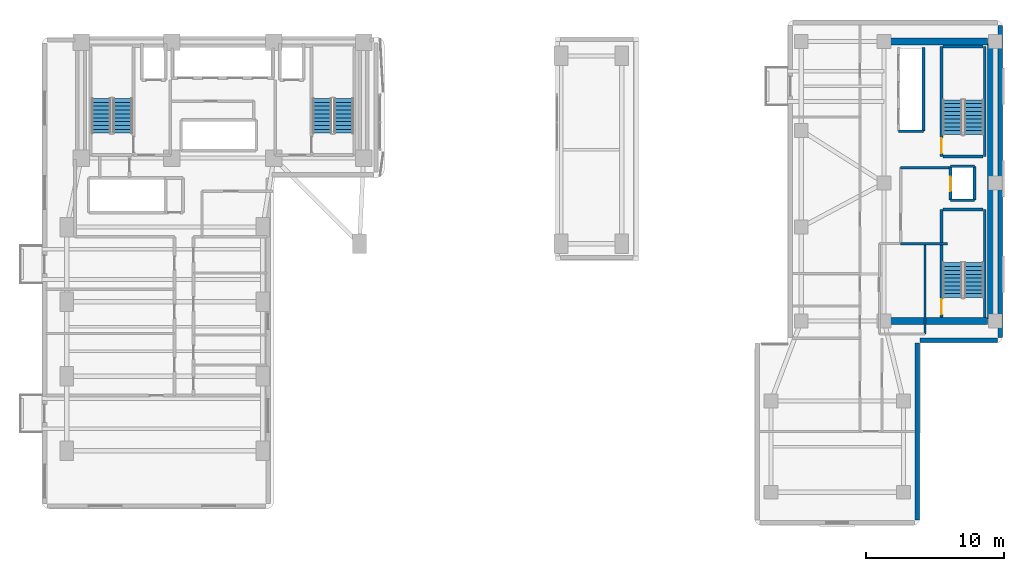
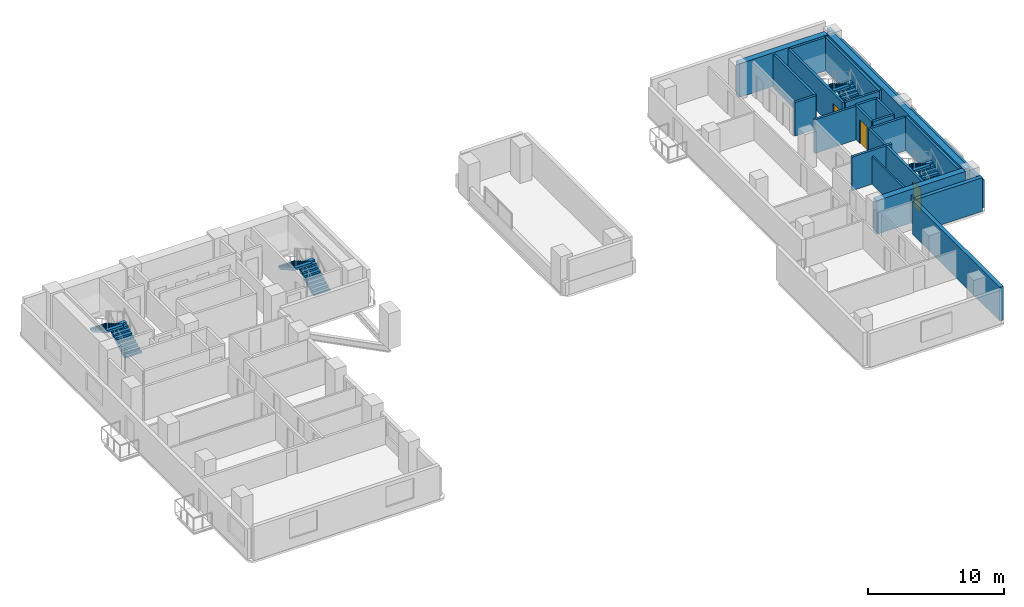
# One storey, part 9 of 12: 22 walls, 8 stair flights, 3 doors, 3 openings, 4 elements without a shape of their own.
"""IFC4 building model written with IfcOpenShell, lengths in metres."""

from ifc_helpers import new_model, si_unit, direction, frame, frame_2d, origin, place, context, subcontext, project, spatial, polyline, rectangle, outline, extrude, material, layer, layer_set, type_object, element, fill, aggregate, save


model = new_model("IFC4")

# Units and contexts
model_context = context("Model", 3, precision=1e-05, world=origin(), true_north=direction((0.0, 1.0)))
body_context = subcontext(model_context, "Body", "Model", "MODEL_VIEW")
ifc_project = project(units=[si_unit("LENGTHUNIT", "METRE"), si_unit("AREAUNIT", "SQUARE_METRE"), si_unit("VOLUMEUNIT", "CUBIC_METRE"), si_unit("PLANEANGLEUNIT", "RADIAN"), si_unit("MASSUNIT", "GRAM", prefix="KILO")], contexts=[model_context])

# Site, building, storey
site_placement = place(None, origin())
site = spatial("IfcSite", under=ifc_project, at=site_placement, CompositionType="ELEMENT")
building_placement = place(site_placement, origin())
building = spatial("IfcBuilding", under=site, at=building_placement, Name="Kuzgunbayir Cultural Tower", CompositionType="ELEMENT")
storey_placement = place(building_placement, frame((0.0, 0.0, 30.199951171875)))
storey = spatial("IfcBuildingStorey", under=building, at=storey_placement, Name="L07", CompositionType="ELEMENT", Elevation=30.199951171875)

# Walls
ifc_material_1 = material(Name="Travertine Buff Ashlar", Category="masonry")
ifc_layer_1 = layer(ifc_material_1, 0.320068359375)
ifc_layer_set_1 = layer_set([ifc_layer_1], Name="Travertine Buff Ashlar")
wall_type_1 = type_object("IfcWallType", Name="WAL-EXT-STONE-320", PredefinedType="STANDARD", material=ifc_layer_set_1)
wall_1_placement = place(storey_placement, frame((73.0, 20.800048828125, 0.0), z_axis=(0.0, 0.0, 1.0), x_axis=(0.0, 1.0, 0.0)))
element("IfcWall", 1, at=wall_1_placement, inside=storey, type_object=wall_type_1, Name="L07 Companion East Limestone Wall", PredefinedType="STANDARD", context=body_context, shape_type="SweptSolid", body=[
    extrude(rectangle(XDim=22.599853515625, YDim=0.320068359375, at=frame_2d((11.2998046875, 0.0))), origin(), (0.0, 0.0, 1.0), 2.5),
])
wall_2_placement = place(storey_placement, frame((67.0, 7.60009765625, 0.0), z_axis=(0.0, 0.0, 1.0), x_axis=(0.0, 1.0, 0.0)))
element("IfcWall", 2, at=wall_2_placement, inside=storey, type_object=wall_type_1, Name="L07 Companion Wing B East Wall", PredefinedType="STANDARD", context=body_context, shape_type="SweptSolid", body=[
    extrude(rectangle(XDim=12.7998046875, YDim=0.320068359375, at=frame_2d((6.39990234375, 0.0))), origin(), (0.0, 0.0, 1.0), 3.02001953125),
])
wall_3_placement = place(storey_placement, frame((67.199951171875, 20.60009765625, 0.0), z_axis=(0.0, 0.0, 1.0), x_axis=(1.0, 0.0, 0.0)))
element("IfcWall", 3, at=wall_3_placement, inside=storey, type_object=wall_type_1, Name="L07 Companion South-East Link", PredefinedType="STANDARD", context=body_context, shape_type="SweptSolid", body=[
    extrude(rectangle(XDim=5.60009765625, YDim=0.320068359375, at=frame_2d((2.800048828125, 0.0))), origin(), (0.0, 0.0, 1.0), 3.02001953125),
])
ifc_material_2 = material(Name="Acoustic Double-Stud Drywall", Category="gypsum")
ifc_layer_2 = layer(ifc_material_2, 0.14990234375)
ifc_layer_set_2 = layer_set([ifc_layer_2], Name="Acoustic Double-Stud Drywall")
wall_type_2 = type_object("IfcWallType", Name="WAL-PART-ACOUSTIC-150", PredefinedType="PARTITIONING", material=ifc_layer_set_2)
wall_4_placement = place(storey_placement, frame((67.550048828125, 21.050048828125, 0.0), z_axis=(0.0, 0.0, 1.0), x_axis=(0.0, 1.0, 0.0)))
element("IfcWall", 4, at=wall_4_placement, inside=storey, type_object=wall_type_2, Name="L07 Companion Archive East Wall", PredefinedType="PARTITIONING", context=body_context, shape_type="SweptSolid", body=[
    extrude(rectangle(XDim=6.469970703125, YDim=0.14990234375, at=frame_2d((3.23486328125, 0.0))), origin(), (0.0, 0.0, 1.0), 2.5),
])
ifc_material_3 = material(Name="Aerated Concrete Blockwork", Category="masonry")
ifc_layer_3 = layer(ifc_material_3, 0.199951171875)
ifc_layer_set_3 = layer_set([ifc_layer_3], Name="Aerated Concrete Blockwork")
wall_type_3 = type_object("IfcWallType", Name="WAL-PART-FIRE-200", PredefinedType="PARTITIONING", material=ifc_layer_set_3)
wall_5_placement = place(storey_placement, frame((65.800048828125, 33.10009765625, 0.0), z_axis=(0.0, 0.0, 1.0), x_axis=(1.0, 0.0, 0.0)))
element("IfcWall", 5, at=wall_5_placement, inside=storey, type_object=wall_type_3, Name="L07 FFL-3 Lobby North Fire Wall", PredefinedType="PARTITIONING", context=body_context, shape_type="SweptSolid", body=[
    extrude(rectangle(XDim=3.599853515625, YDim=0.199951171875, at=frame_2d((1.7998046875, 0.0))), origin(), (0.0, 0.0, 1.0), 3.02001953125),
])
wall_6_placement = place(storey_placement, frame((65.800048828125, 27.60009765625, 0.0), z_axis=(0.0, 0.0, 1.0), x_axis=(1.0, 0.0, 0.0)))
element("IfcWall", 6, at=wall_6_placement, inside=storey, type_object=wall_type_3, Name="L07 FFL-3 Lobby South Fire Wall", PredefinedType="PARTITIONING", context=body_context, shape_type="SweptSolid", body=[
    extrude(rectangle(XDim=3.39990234375, YDim=0.199951171875, at=frame_2d((1.699951171875, 0.0))), origin(), (0.0, 0.0, 1.0), 3.02001953125),
])
ifc_material_4 = material(Name="Concrete C40/50", Category="concrete")
ifc_layer_4 = layer(ifc_material_4, 0.199951171875)
ifc_layer_set_4 = layer_set([ifc_layer_4], Name="Concrete C40/50")
wall_type_4 = type_object("IfcWallType", Name="WAL-SHAFT-200", PredefinedType="MOVABLE", material=ifc_layer_set_4)
wall_7_placement = place(storey_placement, frame((67.449951171875, 35.75, 0.0), z_axis=(0.0, 0.0, 1.0), x_axis=(0.0, 1.0, 0.0)))
element("IfcWall", 7, at=wall_7_placement, inside=storey, type_object=wall_type_4, Name="L07 Companion Lift Shaft Back Wall", PredefinedType="MOVABLE", context=body_context, shape_type="SweptSolid", body=[
    extrude(rectangle(XDim=6.050048828125, YDim=0.199951171875, at=frame_2d((3.02490234375, 0.0))), origin(), (0.0, 0.0, 1.0), 3.02001953125),
])
wall_8_placement = place(storey_placement, frame((65.64990234375, 35.75, 0.0), z_axis=(0.0, 0.0, 1.0), x_axis=(1.0, 0.0, 0.0)))
element("IfcWall", 8, at=wall_8_placement, inside=storey, type_object=wall_type_4, Name="L07 Companion Lift Shaft South Wall", PredefinedType="MOVABLE", context=body_context, shape_type="SweptSolid", body=[
    extrude(rectangle(XDim=1.800048828125, YDim=0.199951171875, at=frame_2d((0.89990234375, 0.0))), origin(), (0.0, 0.0, 1.0), 3.02001953125),
])

# Wall, opening, door
wall_9_placement = place(storey_placement, frame((69.39990234375, 30.75, 0.0), z_axis=(0.0, 0.0, 1.0), x_axis=(0.0, 1.0, 0.0)))
wall_9 = element("IfcWall", 9, at=wall_9_placement, inside=storey, type_object=wall_type_4, Name="L07 FFL-3 Lift Front Wall", PredefinedType="MOVABLE", context=body_context, shape_type="SweptSolid", body=[
    extrude(rectangle(XDim=2.449951171875, YDim=0.199951171875, at=frame_2d((1.22509765625, 0.0))), origin(), (0.0, 0.0, 1.0), 3.02001953125),
])
opening_1_placement = place(wall_9_placement, frame((0.64990234375, 0.0, 0.0)))
opening_1 = element("IfcOpeningElement", 10, at=opening_1_placement, cuts=wall_9, Name="Opening LD", PredefinedType="OPENING", context=body_context, shape_type="SweptSolid", body=[
    extrude(rectangle(XDim=1.050048828125, YDim=2.14990234375, at=frame_2d((0.52490234375, 1.074951171875))), frame((0.0, 0.10986328125, 0.0), z_axis=(0.0, -1.0, 0.0), x_axis=(1.0, 0.0, 0.0)), (0.0, 0.0, 1.0), 0.219970703125),
])
ifc_material_5 = material(Name="Brushed Stainless Steel", Category="steel")
door_type_1 = type_object("IfcDoorType", Name="DR-LIFT-LANDING", OperationType="SLIDING_TO_LEFT", PredefinedType="DOOR", material=ifc_material_5)
door_1_placement = place(opening_1_placement, origin())
door_1 = element("IfcDoor", 11, at=door_1_placement, inside=storey, type_object=door_type_1, Name="L07 Lift FFL-3 Landing Door", OperationType="SLIDING_TO_LEFT", OverallHeight=2.14990234375, OverallWidth=1.050048828125, PredefinedType="DOOR", context=body_context, shape_type="SweptSolid", body=[
    extrude(rectangle(XDim=1.050048828125, YDim=2.14990234375, at=frame_2d((0.52490234375, 1.074951171875))), frame((0.0, 0.02490234375, 0.0), z_axis=(0.0, -1.0, 0.0), x_axis=(1.0, 0.0, 0.0)), (0.0, 0.0, 1.0), 0.050048828125),
])
fill(opening_1, door_1)

# Walls
wall_10_placement = place(storey_placement, frame((71.14990234375, 30.75, 0.0), z_axis=(0.0, 0.0, 1.0), x_axis=(0.0, 1.0, 0.0)))
element("IfcWall", 12, at=wall_10_placement, inside=storey, type_object=wall_type_4, Name="L07 FFL-3 Shaft Back Wall", PredefinedType="MOVABLE", context=body_context, shape_type="SweptSolid", body=[
    extrude(rectangle(XDim=2.449951171875, YDim=0.199951171875, at=frame_2d((1.22509765625, 0.0))), origin(), (0.0, 0.0, 1.0), 3.02001953125),
])
for number, where, z_axis, x_axis, name in (
    (13, (69.39990234375, 33.199951171875, 0.0), (0.0, 0.0, 1.0), (1.0, 0.0, 0.0), "L07 FFL-3 Shaft North Wall"),
    (14, (69.39990234375, 30.75, 0.0), (0.0, 0.0, 1.0), (1.0, 0.0, 0.0), "L07 FFL-3 Shaft South Wall"),
):
    element("IfcWall", number, at=place(storey_placement, frame(where, z_axis=z_axis, x_axis=x_axis)), inside=storey, type_object=wall_type_4, Name=name, PredefinedType="MOVABLE", context=body_context, shape_type="SweptSolid", body=[
        extrude(rectangle(XDim=1.75, YDim=0.199951171875, at=frame_2d((0.875, 0.0))), origin(), (0.0, 0.0, 1.0), 3.02001953125),
    ])

# Wall, opening, door
ifc_layer_5 = layer(ifc_material_4, 0.199951171875)
ifc_layer_set_5 = layer_set([ifc_layer_5], Name="Concrete C40/50")
wall_type_5 = type_object("IfcWallType", Name="WAL-STAIR-RC-200", PredefinedType="SHEAR", material=ifc_layer_set_5)
wall_11_placement = place(storey_placement, frame((68.760009765625, 22.260009765625, 0.0), z_axis=(0.0, 0.0, 1.0), x_axis=(0.0, 1.0, 0.0)))
wall_11 = element("IfcWall", 15, at=wall_11_placement, inside=storey, type_object=wall_type_5, Name="L07 Stair ST-3 West Structural Wall", PredefinedType="SHEAR", context=body_context, shape_type="SweptSolid", body=[
    extrude(rectangle(XDim=7.820068359375, YDim=0.199951171875, at=frame_2d((3.91015625, 0.0))), origin(), (0.0, 0.0, 1.0), 3.02001953125),
])
opening_2_placement = place(wall_11_placement, frame((0.219970703125, 0.0, 0.0)))
opening_2 = element("IfcOpeningElement", 16, at=opening_2_placement, cuts=wall_11, Name="Opening DR-STAIR-90", PredefinedType="OPENING", context=body_context, shape_type="SweptSolid", body=[
    extrude(rectangle(XDim=1.10009765625, YDim=2.14990234375, at=frame_2d((0.550048828125, 1.074951171875))), frame((0.0, 0.10986328125, 0.0), z_axis=(0.0, -1.0, 0.0), x_axis=(1.0, 0.0, 0.0)), (0.0, 0.0, 1.0), 0.219970703125),
])
ifc_material_6 = material(Name="Steel S355J2", Category="steel")
door_type_2 = type_object("IfcDoorType", Name="DR-STAIR-90", OperationType="NOTDEFINED", PredefinedType="DOOR", material=ifc_material_6)
door_2_placement = place(opening_2_placement, origin())
door_2 = element("IfcDoor", 17, at=door_2_placement, inside=storey, type_object=door_type_2, Name="L07 Stair ST-3 Fire Door", OperationType="SINGLE_SWING_LEFT", OverallHeight=2.14990234375, OverallWidth=1.10009765625, PredefinedType="DOOR", context=body_context, shape_type="SweptSolid", body=[
    extrude(rectangle(XDim=1.10009765625, YDim=2.14990234375, at=frame_2d((0.550048828125, 1.074951171875))), frame((0.0, 0.02490234375, 0.0), z_axis=(0.0, -1.0, 0.0), x_axis=(1.0, 0.0, 0.0)), (0.0, 0.0, 1.0), 0.050048828125),
])
fill(opening_2, door_2)

# Walls
wall_12_placement = place(storey_placement, frame((71.8798828125, 22.260009765625, 0.0), z_axis=(0.0, 0.0, 1.0), x_axis=(0.0, 1.0, 0.0)))
element("IfcWall", 18, at=wall_12_placement, inside=storey, type_object=wall_type_5, Name="L07 Stair ST-3 East Structural Wall", PredefinedType="SHEAR", context=body_context, shape_type="SweptSolid", body=[
    extrude(rectangle(XDim=7.820068359375, YDim=0.199951171875, at=frame_2d((3.91015625, 0.0))), origin(), (0.0, 0.0, 1.0), 3.02001953125),
])
wall_13_placement = place(storey_placement, frame((68.8798828125, 30.080078125, 0.0), z_axis=(0.0, 0.0, 1.0), x_axis=(1.0, 0.0, 0.0)))
element("IfcWall", 19, at=wall_13_placement, inside=storey, type_object=wall_type_5, Name="L07 Stair ST-3 North Structural Wall", PredefinedType="SHEAR", context=body_context, shape_type="SweptSolid", body=[
    extrude(rectangle(XDim=2.880126953125, YDim=0.199951171875, at=frame_2d((1.43994140625, 0.0))), origin(), (0.0, 0.0, 1.0), 3.02001953125),
])

# Wall, opening, door
wall_14_placement = place(storey_placement, frame((68.760009765625, 33.919921875, 0.0), z_axis=(0.0, 0.0, 1.0), x_axis=(0.0, 1.0, 0.0)))
wall_14 = element("IfcWall", 20, at=wall_14_placement, inside=storey, type_object=wall_type_5, Name="L07 Stair ST-4 West Structural Wall", PredefinedType="SHEAR", context=body_context, shape_type="SweptSolid", body=[
    extrude(rectangle(XDim=7.9599609375, YDim=0.199951171875, at=frame_2d((3.97998046875, 0.0))), origin(), (0.0, 0.0, 1.0), 3.02001953125),
])
opening_3_placement = place(wall_14_placement, frame((0.219970703125, 0.0, 0.0)))
opening_3 = element("IfcOpeningElement", 21, at=opening_3_placement, cuts=wall_14, Name="Opening DR-STAIR-90", PredefinedType="OPENING", context=body_context, shape_type="SweptSolid", body=[
    extrude(rectangle(XDim=1.10009765625, YDim=2.14990234375, at=frame_2d((0.550048828125, 1.074951171875))), frame((0.0, 0.10986328125, 0.0), z_axis=(0.0, -1.0, 0.0), x_axis=(1.0, 0.0, 0.0)), (0.0, 0.0, 1.0), 0.219970703125),
])
door_3_placement = place(opening_3_placement, origin())
door_3 = element("IfcDoor", 22, at=door_3_placement, inside=storey, type_object=door_type_2, Name="L07 Stair ST-4 Fire Door", OperationType="SINGLE_SWING_RIGHT", OverallHeight=2.14990234375, OverallWidth=1.10009765625, PredefinedType="DOOR", context=body_context, shape_type="SweptSolid", body=[
    extrude(rectangle(XDim=1.10009765625, YDim=2.14990234375, at=frame_2d((0.550048828125, 1.074951171875))), frame((0.0, 0.02490234375, 0.0), z_axis=(0.0, -1.0, 0.0), x_axis=(1.0, 0.0, 0.0)), (0.0, 0.0, 1.0), 0.050048828125),
])
fill(opening_3, door_3)

# Walls
wall_15_placement = place(storey_placement, frame((71.8798828125, 33.919921875, 0.0), z_axis=(0.0, 0.0, 1.0), x_axis=(0.0, 1.0, 0.0)))
element("IfcWall", 23, at=wall_15_placement, inside=storey, type_object=wall_type_5, Name="L07 Stair ST-4 East Structural Wall", PredefinedType="SHEAR", context=body_context, shape_type="SweptSolid", body=[
    extrude(rectangle(XDim=7.9599609375, YDim=0.199951171875, at=frame_2d((3.97998046875, 0.0))), origin(), (0.0, 0.0, 1.0), 3.02001953125),
])
for number, where, z_axis, x_axis, name in (
    (24, (68.8798828125, 41.8798828125, 0.0), (0.0, 0.0, 1.0), (1.0, 0.0, 0.0), "L07 Stair ST-4 North Structural Wall"),
    (25, (68.8798828125, 33.919921875, 0.0), (0.0, 0.0, 1.0), (1.0, 0.0, 0.0), "L07 Stair ST-4 South Structural Wall"),
):
    element("IfcWall", number, at=place(storey_placement, frame(where, z_axis=z_axis, x_axis=x_axis)), inside=storey, type_object=wall_type_5, Name=name, PredefinedType="SHEAR", context=body_context, shape_type="SweptSolid", body=[
        extrude(rectangle(XDim=2.880126953125, YDim=0.199951171875, at=frame_2d((1.43994140625, 0.0))), origin(), (0.0, 0.0, 1.0), 3.02001953125),
    ])
ifc_material_7 = material(Name="Concrete C60/75", Category="concrete")
ifc_layer_6 = layer(ifc_material_7, 0.5)
ifc_layer_set_6 = layer_set([ifc_layer_6], Name="Concrete C60/75")
wall_type_6 = type_object("IfcWallType", Name="WAL-T2-CORE-500", PredefinedType="SHEAR", material=ifc_layer_set_6)
wall_16_placement = place(storey_placement, frame((72.35009765625, 22.0, 0.0), z_axis=(0.0, 0.0, 1.0), x_axis=(0.0, 1.0, 0.0)))
element("IfcWall", 26, at=wall_16_placement, inside=storey, type_object=wall_type_6, Name="L07 Companion Core East Shear Wall", PredefinedType="SHEAR", context=body_context, shape_type="SweptSolid", body=[
    extrude(rectangle(XDim=20.25, YDim=0.5, at=frame_2d((10.125, 0.0))), origin(), (0.0, 0.0, 1.0), 3.02001953125),
])
for number, where, z_axis, x_axis, name in (
    (27, (64.60009765625, 42.25, 0.0), (0.0, 0.0, 1.0), (1.0, 0.0, 0.0), "L07 Companion Core North Shear Wall"),
    (28, (64.60009765625, 22.0, 0.0), (0.0, 0.0, 1.0), (1.0, 0.0, 0.0), "L07 Companion Core South Shear Wall"),
):
    element("IfcWall", number, at=place(storey_placement, frame(where, z_axis=z_axis, x_axis=x_axis)), inside=storey, type_object=wall_type_6, Name=name, PredefinedType="SHEAR", context=body_context, shape_type="SweptSolid", body=[
        extrude(rectangle(XDim=7.5, YDim=0.5, at=frame_2d((3.75, 0.0))), origin(), (0.0, 0.0, 1.0), 3.02001953125),
    ])

# Stair, stair flights
stair_type = type_object("IfcStairType", Name="STR-EXIT-CORE", PredefinedType="HALF_TURN_STAIR", material=ifc_material_4)
stair_1_placement = place(storey_placement, origin())
stair_1 = element("IfcStair", 29, at=stair_1_placement, inside=storey, type_object=stair_type, Name="L07 ST-1", PredefinedType="HALF_TURN_STAIR")
stair_flight_type = type_object("IfcStairFlightType", Name="STRF-RC-140", PredefinedType="STRAIGHT", material=ifc_material_4)
stair_flight_1_placement = place(storey_placement, frame((9.4599609375, 35.60009765625, 0.0), z_axis=(0.0, 0.0, 1.0), x_axis=(0.0, 1.0, 0.0)))
stair_flight_1 = element("IfcStairFlight", 30, at=stair_flight_1_placement, type_object=stair_flight_type, Name="ST-1 flight 1", NumberOfRisers=10, NumberOfTreads=9, PredefinedType="STRAIGHT", RiserHeight=0.16, TreadLength=0.28, context=body_context, shape_type="SweptSolid", body=[
    extrude(outline(polyline([(0.0, 0.0), (0.0, 0.159912109375), (0.280029296875, 0.159912109375), (0.280029296875, 0.320068359375), (0.56005859375, 0.320068359375), (0.56005859375, 0.47998046875), (0.840087890625, 0.47998046875), (0.840087890625, 0.639892578125), (1.1201171875, 0.639892578125), (1.1201171875, 0.800048828125), (1.39990234375, 0.800048828125), (1.39990234375, 0.9599609375), (1.679931640625, 0.9599609375), (1.679931640625, 1.1201171875), (1.9599609375, 1.1201171875), (1.9599609375, 1.280029296875), (2.239990234375, 1.280029296875), (2.239990234375, 1.43994140625), (2.52001953125, 1.43994140625), (2.52001953125, 1.60009765625), (2.52001953125, 1.232666015625), (0.362548828125, 0.0), (0.0, 0.0)])), frame((0.0, 0.699951171875, 0.0), z_axis=(0.0, -1.0, 0.0), x_axis=(1.0, 0.0, 0.0)), (0.0, 0.0, 1.0), 1.39990234375),
])
stair_flight_2_placement = place(storey_placement, frame((7.89990234375, 38.1201171875, 1.60009765625), z_axis=(0.0, 0.0, 1.0), x_axis=(0.0, -1.0, 0.0)))
stair_flight_2 = element("IfcStairFlight", 31, at=stair_flight_2_placement, type_object=stair_flight_type, Name="ST-1 flight 2", NumberOfRisers=10, NumberOfTreads=9, PredefinedType="STRAIGHT", RiserHeight=0.16, TreadLength=0.28, context=body_context, shape_type="SweptSolid", body=[
    extrude(outline(polyline([(0.0, 0.0), (0.0, 0.159912109375), (0.280029296875, 0.159912109375), (0.280029296875, 0.320068359375), (0.56005859375, 0.320068359375), (0.56005859375, 0.47998046875), (0.840087890625, 0.47998046875), (0.840087890625, 0.639892578125), (1.1201171875, 0.639892578125), (1.1201171875, 0.800048828125), (1.39990234375, 0.800048828125), (1.39990234375, 0.9599609375), (1.679931640625, 0.9599609375), (1.679931640625, 1.1201171875), (1.9599609375, 1.1201171875), (1.9599609375, 1.280029296875), (2.239990234375, 1.280029296875), (2.239990234375, 1.43994140625), (2.52001953125, 1.43994140625), (2.52001953125, 1.60009765625), (2.52001953125, 1.232666015625), (0.362548828125, 0.0), (0.0, 0.0)])), frame((0.0, 0.699951171875, 0.0), z_axis=(0.0, -1.0, 0.0), x_axis=(1.0, 0.0, 0.0)), (0.0, 0.0, 1.0), 1.39990234375),
])
aggregate(stair_1, [stair_flight_1, stair_flight_2])

stair_2_placement = place(storey_placement, origin())
stair_2 = element("IfcStair", 32, at=stair_2_placement, inside=storey, type_object=stair_type, Name="L07 ST-2", PredefinedType="HALF_TURN_STAIR")
stair_flight_3_placement = place(storey_placement, frame((25.4599609375, 35.60009765625, 0.0), z_axis=(0.0, 0.0, 1.0), x_axis=(0.0, 1.0, 0.0)))
stair_flight_3 = element("IfcStairFlight", 33, at=stair_flight_3_placement, type_object=stair_flight_type, Name="ST-2 flight 1", NumberOfRisers=10, NumberOfTreads=9, PredefinedType="STRAIGHT", RiserHeight=0.16, TreadLength=0.28, context=body_context, shape_type="SweptSolid", body=[
    extrude(outline(polyline([(0.0, 0.0), (0.0, 0.159912109375), (0.280029296875, 0.159912109375), (0.280029296875, 0.320068359375), (0.56005859375, 0.320068359375), (0.56005859375, 0.47998046875), (0.840087890625, 0.47998046875), (0.840087890625, 0.639892578125), (1.1201171875, 0.639892578125), (1.1201171875, 0.800048828125), (1.39990234375, 0.800048828125), (1.39990234375, 0.9599609375), (1.679931640625, 0.9599609375), (1.679931640625, 1.1201171875), (1.9599609375, 1.1201171875), (1.9599609375, 1.280029296875), (2.239990234375, 1.280029296875), (2.239990234375, 1.43994140625), (2.52001953125, 1.43994140625), (2.52001953125, 1.60009765625), (2.52001953125, 1.232666015625), (0.362548828125, 0.0), (0.0, 0.0)])), frame((0.0, 0.699951171875, 0.0), z_axis=(0.0, -1.0, 0.0), x_axis=(1.0, 0.0, 0.0)), (0.0, 0.0, 1.0), 1.39990234375),
])
stair_flight_4_placement = place(storey_placement, frame((23.89990234375, 38.1201171875, 1.60009765625), z_axis=(0.0, 0.0, 1.0), x_axis=(0.0, -1.0, 0.0)))
stair_flight_4 = element("IfcStairFlight", 34, at=stair_flight_4_placement, type_object=stair_flight_type, Name="ST-2 flight 2", NumberOfRisers=10, NumberOfTreads=9, PredefinedType="STRAIGHT", RiserHeight=0.16, TreadLength=0.28, context=body_context, shape_type="SweptSolid", body=[
    extrude(outline(polyline([(0.0, 0.0), (0.0, 0.159912109375), (0.280029296875, 0.159912109375), (0.280029296875, 0.320068359375), (0.56005859375, 0.320068359375), (0.56005859375, 0.47998046875), (0.840087890625, 0.47998046875), (0.840087890625, 0.639892578125), (1.1201171875, 0.639892578125), (1.1201171875, 0.800048828125), (1.39990234375, 0.800048828125), (1.39990234375, 0.9599609375), (1.679931640625, 0.9599609375), (1.679931640625, 1.1201171875), (1.9599609375, 1.1201171875), (1.9599609375, 1.280029296875), (2.239990234375, 1.280029296875), (2.239990234375, 1.43994140625), (2.52001953125, 1.43994140625), (2.52001953125, 1.60009765625), (2.52001953125, 1.232666015625), (0.362548828125, 0.0), (0.0, 0.0)])), frame((0.0, 0.699951171875, 0.0), z_axis=(0.0, -1.0, 0.0), x_axis=(1.0, 0.0, 0.0)), (0.0, 0.0, 1.0), 1.39990234375),
])
aggregate(stair_2, [stair_flight_3, stair_flight_4])

stair_3_placement = place(storey_placement, origin())
stair_3 = element("IfcStair", 35, at=stair_3_placement, inside=storey, type_object=stair_type, Name="L07 ST-3", PredefinedType="HALF_TURN_STAIR")
stair_flight_5_placement = place(storey_placement, frame((71.10009765625, 23.699951171875, 0.0), z_axis=(0.0, 0.0, 1.0), x_axis=(0.0, 1.0, 0.0)))
stair_flight_5 = element("IfcStairFlight", 36, at=stair_flight_5_placement, type_object=stair_flight_type, Name="ST-3 flight 1", NumberOfRisers=10, NumberOfTreads=9, PredefinedType="STRAIGHT", RiserHeight=0.16, TreadLength=0.28, context=body_context, shape_type="SweptSolid", body=[
    extrude(outline(polyline([(0.0, 0.0), (0.0, 0.159912109375), (0.280029296875, 0.159912109375), (0.280029296875, 0.320068359375), (0.56005859375, 0.320068359375), (0.56005859375, 0.47998046875), (0.840087890625, 0.47998046875), (0.840087890625, 0.639892578125), (1.1201171875, 0.639892578125), (1.1201171875, 0.800048828125), (1.39990234375, 0.800048828125), (1.39990234375, 0.9599609375), (1.679931640625, 0.9599609375), (1.679931640625, 1.1201171875), (1.9599609375, 1.1201171875), (1.9599609375, 1.280029296875), (2.239990234375, 1.280029296875), (2.239990234375, 1.43994140625), (2.52001953125, 1.43994140625), (2.52001953125, 1.60009765625), (2.52001953125, 1.232666015625), (0.362548828125, 0.0), (0.0, 0.0)])), frame((0.0, 0.699951171875, 0.0), z_axis=(0.0, -1.0, 0.0), x_axis=(1.0, 0.0, 0.0)), (0.0, 0.0, 1.0), 1.39990234375),
])
stair_flight_6_placement = place(storey_placement, frame((69.5400390625, 26.219970703125, 1.60009765625), z_axis=(0.0, 0.0, 1.0), x_axis=(0.0, -1.0, 0.0)))
stair_flight_6 = element("IfcStairFlight", 37, at=stair_flight_6_placement, type_object=stair_flight_type, Name="ST-3 flight 2", NumberOfRisers=10, NumberOfTreads=9, PredefinedType="STRAIGHT", RiserHeight=0.16, TreadLength=0.28, context=body_context, shape_type="SweptSolid", body=[
    extrude(outline(polyline([(0.0, 0.0), (0.0, 0.159912109375), (0.280029296875, 0.159912109375), (0.280029296875, 0.320068359375), (0.56005859375, 0.320068359375), (0.56005859375, 0.47998046875), (0.840087890625, 0.47998046875), (0.840087890625, 0.639892578125), (1.1201171875, 0.639892578125), (1.1201171875, 0.800048828125), (1.39990234375, 0.800048828125), (1.39990234375, 0.9599609375), (1.679931640625, 0.9599609375), (1.679931640625, 1.1201171875), (1.9599609375, 1.1201171875), (1.9599609375, 1.280029296875), (2.239990234375, 1.280029296875), (2.239990234375, 1.43994140625), (2.52001953125, 1.43994140625), (2.52001953125, 1.60009765625), (2.52001953125, 1.232666015625), (0.362548828125, 0.0), (0.0, 0.0)])), frame((0.0, 0.699951171875, 0.0), z_axis=(0.0, -1.0, 0.0), x_axis=(1.0, 0.0, 0.0)), (0.0, 0.0, 1.0), 1.39990234375),
])
aggregate(stair_3, [stair_flight_5, stair_flight_6])

stair_4_placement = place(storey_placement, origin())
stair_4 = element("IfcStair", 38, at=stair_4_placement, inside=storey, type_object=stair_type, Name="L07 ST-4", PredefinedType="HALF_TURN_STAIR")
stair_flight_7_placement = place(storey_placement, frame((71.10009765625, 35.5, 0.0), z_axis=(0.0, 0.0, 1.0), x_axis=(0.0, 1.0, 0.0)))
stair_flight_7 = element("IfcStairFlight", 39, at=stair_flight_7_placement, type_object=stair_flight_type, Name="ST-4 flight 1", NumberOfRisers=10, NumberOfTreads=9, PredefinedType="STRAIGHT", RiserHeight=0.16, TreadLength=0.28, context=body_context, shape_type="SweptSolid", body=[
    extrude(outline(polyline([(0.0, 0.0), (0.0, 0.159912109375), (0.280029296875, 0.159912109375), (0.280029296875, 0.320068359375), (0.56005859375, 0.320068359375), (0.56005859375, 0.47998046875), (0.840087890625, 0.47998046875), (0.840087890625, 0.639892578125), (1.1201171875, 0.639892578125), (1.1201171875, 0.800048828125), (1.39990234375, 0.800048828125), (1.39990234375, 0.9599609375), (1.679931640625, 0.9599609375), (1.679931640625, 1.1201171875), (1.9599609375, 1.1201171875), (1.9599609375, 1.280029296875), (2.239990234375, 1.280029296875), (2.239990234375, 1.43994140625), (2.52001953125, 1.43994140625), (2.52001953125, 1.60009765625), (2.52001953125, 1.232666015625), (0.362548828125, 0.0), (0.0, 0.0)])), frame((0.0, 0.699951171875, 0.0), z_axis=(0.0, -1.0, 0.0), x_axis=(1.0, 0.0, 0.0)), (0.0, 0.0, 1.0), 1.39990234375),
])
stair_flight_8_placement = place(storey_placement, frame((69.5400390625, 38.02001953125, 1.60009765625), z_axis=(0.0, 0.0, 1.0), x_axis=(0.0, -1.0, 0.0)))
stair_flight_8 = element("IfcStairFlight", 40, at=stair_flight_8_placement, type_object=stair_flight_type, Name="ST-4 flight 2", NumberOfRisers=10, NumberOfTreads=9, PredefinedType="STRAIGHT", RiserHeight=0.16, TreadLength=0.28, context=body_context, shape_type="SweptSolid", body=[
    extrude(outline(polyline([(0.0, 0.0), (0.0, 0.159912109375), (0.280029296875, 0.159912109375), (0.280029296875, 0.320068359375), (0.56005859375, 0.320068359375), (0.56005859375, 0.47998046875), (0.840087890625, 0.47998046875), (0.840087890625, 0.639892578125), (1.1201171875, 0.639892578125), (1.1201171875, 0.800048828125), (1.39990234375, 0.800048828125), (1.39990234375, 0.9599609375), (1.679931640625, 0.9599609375), (1.679931640625, 1.1201171875), (1.9599609375, 1.1201171875), (1.9599609375, 1.280029296875), (2.239990234375, 1.280029296875), (2.239990234375, 1.43994140625), (2.52001953125, 1.43994140625), (2.52001953125, 1.60009765625), (2.52001953125, 1.232666015625), (0.362548828125, 0.0), (0.0, 0.0)])), frame((0.0, 0.699951171875, 0.0), z_axis=(0.0, -1.0, 0.0), x_axis=(1.0, 0.0, 0.0)), (0.0, 0.0, 1.0), 1.39990234375),
])
aggregate(stair_4, [stair_flight_7, stair_flight_8])

save(model, "model.ifc")
